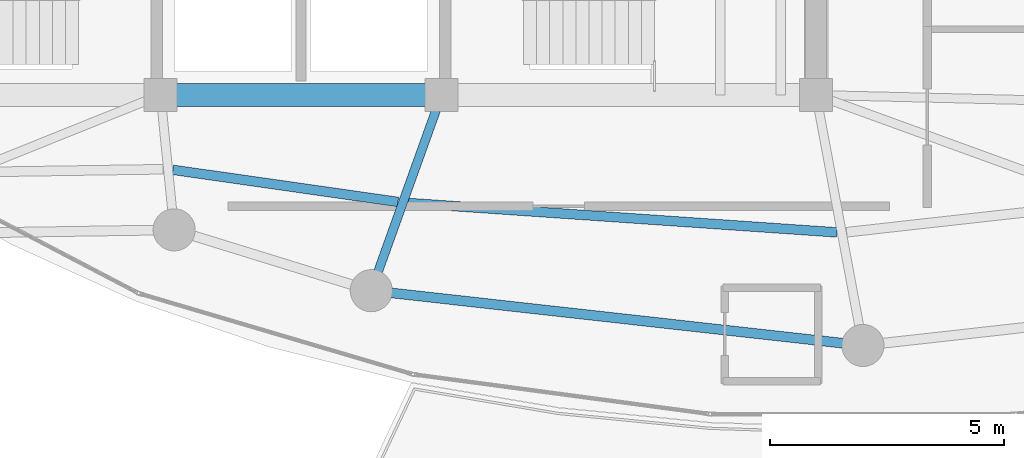
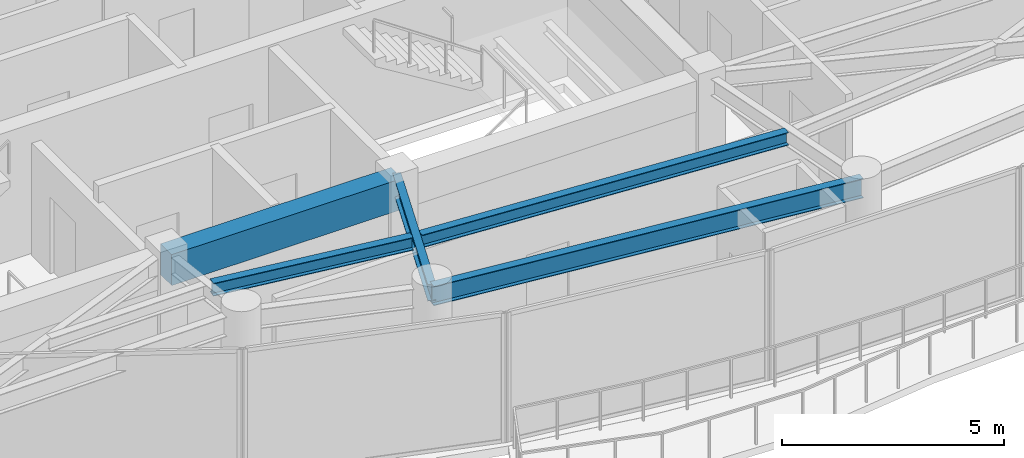
# One storey, part 6 of 29: 5 beams.
"""IFC4 building model written with IfcOpenShell, lengths in metres."""

import ifcopenshell
import ifcopenshell.guid

model = None  # the IFC model being written
_history = None  # IfcOwnerHistory: only IFC2X3 demands one
_inside = {}  # id of a spatial element -> (the spatial element, [elements in it])
_under = {}  # id of a project, library or spatial element -> (it, [spatial elements below it])
_declared = {}  # id of a project -> (the project, [libraries it declares])
_typed = {}  # id of a type object -> (the type object, [elements of that type])
_made_of = {}  # id of a material, layer set ... -> (it, [elements and type objects made of it])


def new_model(schema):
    """Start an empty IFC model of exactly this schema.

    Asked for "IFC4X3", IfcOpenShell would pick the latest addendum, in which some entities
    have other attributes; the version numbers below select the first issue.
    IFC2X3 requires an IfcOwnerHistory on every rooted entity: one is made here for all.
    """
    global model, _history
    if schema == "IFC4X3":
        model = ifcopenshell.file(schema_version=(4, 3, 0, 0))
    else:
        model = ifcopenshell.file(schema=schema)
    _inside.clear()
    _under.clear()
    _declared.clear()
    _typed.clear()
    _made_of.clear()
    _history = None
    if model.schema == "IFC2X3":
        org = make("IfcOrganization", Name="unknown")
        user = make(
            "IfcPersonAndOrganization",
            ThePerson=make("IfcPerson", FamilyName="unknown"),
            TheOrganization=org,
        )
        app = make(
            "IfcApplication",
            ApplicationDeveloper=org,
            Version="unknown",
            ApplicationFullName="unknown",
            ApplicationIdentifier="unknown",
        )
        _history = make(
            "IfcOwnerHistory",
            OwningUser=user,
            OwningApplication=app,
            ChangeAction="ADDED",
            CreationDate=0,
        )
    return model


def make(cls, **values):
    """One entity of the class cls with the attributes given. An attribute that is None is left unset."""
    return model.create_entity(
        cls, **{name: value for name, value in values.items() if value is not None}
    )


def rooted(cls, **values):
    """An entity with a GlobalId (a new one), such as an element, a storey or a relation."""
    return make(cls, GlobalId=ifcopenshell.guid.new(), OwnerHistory=_history, **values)


def si_unit(unit_type, name, prefix=None):
    """IfcSIUnit, for example si_unit("LENGTHUNIT", "METRE", prefix="MILLI")."""
    return make("IfcSIUnit", UnitType=unit_type, Prefix=prefix, Name=name)


def assignment(units):
    """IfcUnitAssignment: the units of a project."""
    return None if units is None else make("IfcUnitAssignment", Units=units)


def point(xyz):
    """IfcCartesianPoint."""
    return None if xyz is None else make("IfcCartesianPoint", Coordinates=xyz)


def direction(xyz):
    """IfcDirection."""
    return None if xyz is None else make("IfcDirection", DirectionRatios=xyz)


def frame(location, z_axis=None, x_axis=None):
    """IfcAxis2Placement3D, a coordinate frame: its origin and axes. An axis left out is left unset."""
    return make(
        "IfcAxis2Placement3D",
        Location=point(location),
        Axis=direction(z_axis),
        RefDirection=direction(x_axis),
    )


def frame_2d(location, x_axis=None):
    """IfcAxis2Placement2D, a coordinate frame in the plane: its origin and x axis."""
    return make(
        "IfcAxis2Placement2D", Location=point(location), RefDirection=direction(x_axis)
    )


def origin():
    """The frame at (0, 0, 0) with its axes left unset."""
    return frame((0.0, 0.0, 0.0))


def origin_2d():
    """The frame at (0, 0) in the plane with its x axis left unset."""
    return frame_2d((0.0, 0.0))


def place(relative_to, where):
    """IfcLocalPlacement: puts the frame where relative to a parent placement (None: the world)."""
    return make(
        "IfcLocalPlacement", PlacementRelTo=relative_to, RelativePlacement=where
    )


def context(
    kind, dimensions, precision=None, world=None, true_north=None, identifier=None
):
    """IfcGeometricRepresentationContext, for example the 3D "Model" context."""
    return make(
        "IfcGeometricRepresentationContext",
        ContextIdentifier=identifier,
        ContextType=kind,
        CoordinateSpaceDimension=dimensions,
        Precision=precision,
        WorldCoordinateSystem=world,
        TrueNorth=true_north,
    )


def subcontext(parent, identifier, kind, view, scale=None):
    """IfcGeometricRepresentationSubContext, for example "Body" below "Model"."""
    return make(
        "IfcGeometricRepresentationSubContext",
        ContextIdentifier=identifier,
        ContextType=kind,
        ParentContext=parent,
        TargetScale=scale,
        TargetView=view,
    )


def project(units=None, contexts=None):
    """IfcProject with its units and contexts."""
    return rooted(
        "IfcProject",
        Name="project",
        RepresentationContexts=contexts,
        UnitsInContext=assignment(units),
    )


def spatial(cls, under=None, at=None, **own):
    """A site, building, storey or space (cls), placed at a placement, below another one or the project."""
    s = rooted(cls, ObjectPlacement=at, **own)
    if under is not None:
        _under.setdefault(under.id(), (under, []))[1].append(s)
    return s


def profile(cls, at=None, kind="AREA", **sizes):
    """A parametric profile (cls). Its sizes go by their IFC names, for example OverallWidth=200.0."""
    return make(cls, ProfileType=kind, Position=at, **sizes)


def rectangle(**sizes):
    """IfcRectangleProfileDef."""
    return profile("IfcRectangleProfileDef", **sizes)


def i_section(**sizes):
    """IfcIShapeProfileDef."""
    return profile("IfcIShapeProfileDef", **sizes)


def extrude(swept, where, along, depth):
    """IfcExtrudedAreaSolid: the profile swept, set in the frame where, extruded along a direction by depth."""
    return make(
        "IfcExtrudedAreaSolid",
        SweptArea=swept,
        Position=where,
        ExtrudedDirection=direction(along),
        Depth=depth,
    )


def shape(context_of_items, identifier, shape_type, items):
    """IfcShapeRepresentation: the items that make up one representation, for example the "Body"."""
    return make(
        "IfcShapeRepresentation",
        ContextOfItems=context_of_items,
        RepresentationIdentifier=identifier,
        RepresentationType=shape_type,
        Items=items,
    )


def material(Name=None, Category=None):
    """IfcMaterial."""
    return make("IfcMaterial", Name=Name, Category=Category)


def material_profile(
    of_material, cross_section, Name=None, Category=None, Priority=None
):
    """IfcMaterialProfile: a cross section and its material."""
    return make(
        "IfcMaterialProfile",
        Name=Name,
        Material=of_material,
        Profile=cross_section,
        Priority=Priority,
        Category=Category,
    )


def profile_set(profiles, Name=None, composite=None):
    """IfcMaterialProfileSet."""
    return make(
        "IfcMaterialProfileSet",
        Name=Name,
        MaterialProfiles=profiles,
        CompositeProfile=composite,
    )


def made_of(thing, what):
    """Note that an element or type object is made of a material, layer set ...; save() writes the relation."""
    if what is not None:
        _made_of.setdefault(what.id(), (what, []))[1].append(thing)
    return thing


def type_object(cls, material=None, **own):
    """A type object (cls), such as IfcWallType, which elements share."""
    return made_of(rooted(cls, **own), material)


def element(
    cls,
    number,
    at=None,
    inside=None,
    cuts=None,
    type_object=None,
    material=None,
    context=None,
    identifier="Body",
    shape_type=None,
    held_by="IfcProductDefinitionShape",
    body=None,
    shapes=None,
    **own,
):
    """One element of the class cls, such as IfcWall. Its Tag is "e" and its number.

    at: its placement. inside: the storey or other place that contains it. cuts: it is an
    opening in that element (IfcRelVoidsElement). A single representation is given by context,
    identifier, shape_type and body (its items); several are given by shapes. held_by: the class
    of the entity that holds the representations. save() writes the other relations.
    """
    e = rooted(cls, Tag="e%d" % number, ObjectPlacement=at, **own)
    if body is not None:
        shapes = [shape(context, identifier, shape_type, body)]
    if shapes is not None:
        e.Representation = make(held_by, Representations=shapes)
    if inside is not None:
        _inside.setdefault(inside.id(), (inside, []))[1].append(e)
    if cuts is not None:
        rooted(
            "IfcRelVoidsElement", RelatingBuildingElement=cuts, RelatedOpeningElement=e
        )
    if type_object is not None:
        _typed.setdefault(type_object.id(), (type_object, []))[1].append(e)
    return made_of(e, material)


def aggregate(whole, parts):
    """IfcRelAggregates: a whole, such as a stair, and the parts it consists of."""
    return rooted("IfcRelAggregates", RelatingObject=whole, RelatedObjects=parts)


def save(model, path):
    """Write the relations noted so far, then the file.

    IfcRelAggregates (storeys below a building ...), IfcRelContainedInSpatialStructure (elements
    in a storey), IfcRelDefinesByType, IfcRelAssociatesMaterial and IfcRelDeclares: one each for
    every whole, place, type object, material and project.
    """
    for whole, parts in _under.values():
        aggregate(whole, parts)
    for where, things in _inside.values():
        rooted(
            "IfcRelContainedInSpatialStructure",
            RelatedElements=things,
            RelatingStructure=where,
        )
    for kind, things in _typed.values():
        rooted("IfcRelDefinesByType", RelatedObjects=things, RelatingType=kind)
    for what, things in _made_of.values():
        rooted("IfcRelAssociatesMaterial", RelatedObjects=things, RelatingMaterial=what)
    for by, libraries in _declared.values():
        rooted("IfcRelDeclares", RelatingContext=by, RelatedDefinitions=libraries)
    model.write(path)


model = new_model("IFC4")

# Units and contexts
model_context = context("Model", 3, precision=1e-05, world=origin(), true_north=direction((0.0, 1.0)))
body_context = subcontext(model_context, "Body", "Model", "MODEL_VIEW")
ifc_project = project(units=[si_unit("LENGTHUNIT", "METRE"), si_unit("AREAUNIT", "SQUARE_METRE"), si_unit("VOLUMEUNIT", "CUBIC_METRE"), si_unit("PLANEANGLEUNIT", "RADIAN"), si_unit("MASSUNIT", "GRAM", prefix="KILO")], contexts=[model_context])

# Site, building, storey
site_placement = place(None, origin())
site = spatial("IfcSite", under=ifc_project, at=site_placement, CompositionType="ELEMENT")
building_placement = place(site_placement, origin())
building = spatial("IfcBuilding", under=site, at=building_placement, Name="Kazevale Care Tower and Concert Hall", CompositionType="ELEMENT")
storey_placement = place(building_placement, frame((0.0, 0.0, 262.39990234375)))
storey = spatial("IfcBuildingStorey", under=building, at=storey_placement, Name="L69", CompositionType="ELEMENT", Elevation=262.39990234375)

# Beams
ifc_material_1 = material(Name="Concrete C60", Category="concrete")
ifc_material_profile_1 = material_profile(ifc_material_1, rectangle(XDim=0.5, YDim=0.85009765625, at=origin_2d()), Name="RC-B500x850")
ifc_profile_set_1 = profile_set([ifc_material_profile_1], Name="Concrete C60")
beam_type_1 = type_object("IfcBeamType", Name="Core Coupling Beam RC500x850", PredefinedType="LINTEL", material=ifc_profile_set_1)
beam_1_placement = place(storey_placement, frame((30.0, 23.60009765625, 3.135009765625), z_axis=(1.0, 0.0, 0.0), x_axis=(0.0, 1.0, 0.0)))
element("IfcBeam", 1, at=beam_1_placement, inside=storey, type_object=beam_type_1, Name="beam:L69:coretie:2", PredefinedType="LINTEL", context=body_context, shape_type="SweptSolid", body=[
    extrude(rectangle(XDim=0.5, YDim=0.85009765625, at=origin_2d()), origin(), (0.0, 0.0, 1.0), 6.0),
])
ifc_material_2 = material(Name="Steel ASTM A572 Gr 50", Category="steel")
ifc_material_profile_2 = material_profile(ifc_material_2, i_section(OverallWidth=0.19091796875, OverallDepth=0.4599609375, WebThickness=0.010009765625, FlangeThickness=0.01611328125, at=origin_2d()), Name="W460x82")
ifc_profile_set_2 = profile_set([ifc_material_profile_2], Name="Steel ASTM A572 Gr 50")
beam_type_2 = type_object("IfcBeamType", Name="Radial Floor Beam W460x82", PredefinedType="BEAM", material=ifc_profile_set_2)
beam_2_placement = place(storey_placement, frame((36.0, 23.60009765625, 3.330078125), z_axis=(-0.33774987593, -0.941235900988, 0.0), x_axis=(0.941235900988, -0.33774987593, 0.0)))
element("IfcBeam", 2, at=beam_2_placement, inside=storey, type_object=beam_type_2, Name="beam:L69:rad:12", PredefinedType="BEAM", context=body_context, shape_type="SweptSolid", body=[
    extrude(i_section(OverallWidth=0.19091796875, OverallDepth=0.4599609375, WebThickness=0.010009765625, FlangeThickness=0.01611328125, at=origin_2d()), origin(), (0.0, 0.0, 1.0), 4.441162109375),
])
ifc_material_profile_3 = material_profile(ifc_material_2, i_section(OverallWidth=0.205078125, OverallDepth=0.35400390625, WebThickness=0.009521484375, FlangeThickness=0.016845703125, at=origin_2d()), Name="W360x79")
ifc_profile_set_3 = profile_set([ifc_material_profile_3], Name="Steel ASTM A572 Gr 50")
beam_type_3 = type_object("IfcBeamType", Name="Secondary Floor Joist W360x79", PredefinedType="JOIST", material=ifc_profile_set_3)
beam_3_placement = place(storey_placement, frame((30.262939453125, 22.0009765625, 3.383056640625), z_axis=(0.99000170599, -0.141055386768, 0.0), x_axis=(0.141055386768, 0.99000170599, 0.0)))
element("IfcBeam", 3, at=beam_3_placement, inside=storey, type_object=beam_type_3, Name="beam:L69:joist:11", PredefinedType="JOIST", context=body_context, shape_type="SweptSolid", body=[
    extrude(i_section(OverallWidth=0.205078125, OverallDepth=0.35400390625, WebThickness=0.009521484375, FlangeThickness=0.016845703125, at=origin_2d()), origin(), (0.0, 0.0, 1.0), 4.856689453125),
])
beam_4_placement = place(storey_placement, frame((35.280029296875, 21.2939453125, 3.383056640625), z_axis=(0.997653920332, -0.068459150207, 0.0), x_axis=(0.068459150207, 0.997653920332, 0.0)))
element("IfcBeam", 4, at=beam_4_placement, inside=storey, type_object=beam_type_3, Name="beam:L69:joist:12", PredefinedType="JOIST", context=body_context, shape_type="SweptSolid", body=[
    extrude(i_section(OverallWidth=0.205078125, OverallDepth=0.35400390625, WebThickness=0.009521484375, FlangeThickness=0.016845703125, at=origin_2d()), origin(), (0.0, 0.0, 1.0), 9.1865234375),
])
ifc_material_profile_4 = material_profile(ifc_material_2, i_section(OverallWidth=0.208984375, OverallDepth=0.532958984375, WebThickness=0.01025390625, FlangeThickness=0.015625, at=origin_2d()), Name="W530x92")
ifc_profile_set_4 = profile_set([ifc_material_profile_4], Name="Steel ASTM A572 Gr 50")
beam_type_4 = type_object("IfcBeamType", Name="Upper Ring Beam W530x92", PredefinedType="BEAM", material=ifc_profile_set_4)
beam_5_placement = place(storey_placement, frame((34.5, 19.419921875, 3.293701171875), z_axis=(0.993849870772, -0.110735876598, 0.0), x_axis=(0.110735876598, 0.993849870772, 0.0)))
element("IfcBeam", 5, at=beam_5_placement, inside=storey, type_object=beam_type_4, Name="beam:L69:ring:12", PredefinedType="BEAM", context=body_context, shape_type="SweptSolid", body=[
    extrude(i_section(OverallWidth=0.208984375, OverallDepth=0.532958984375, WebThickness=0.01025390625, FlangeThickness=0.015625, at=origin_2d()), origin(), (0.0, 0.0, 1.0), 10.56494140625),
])

save(model, "model.ifc")
